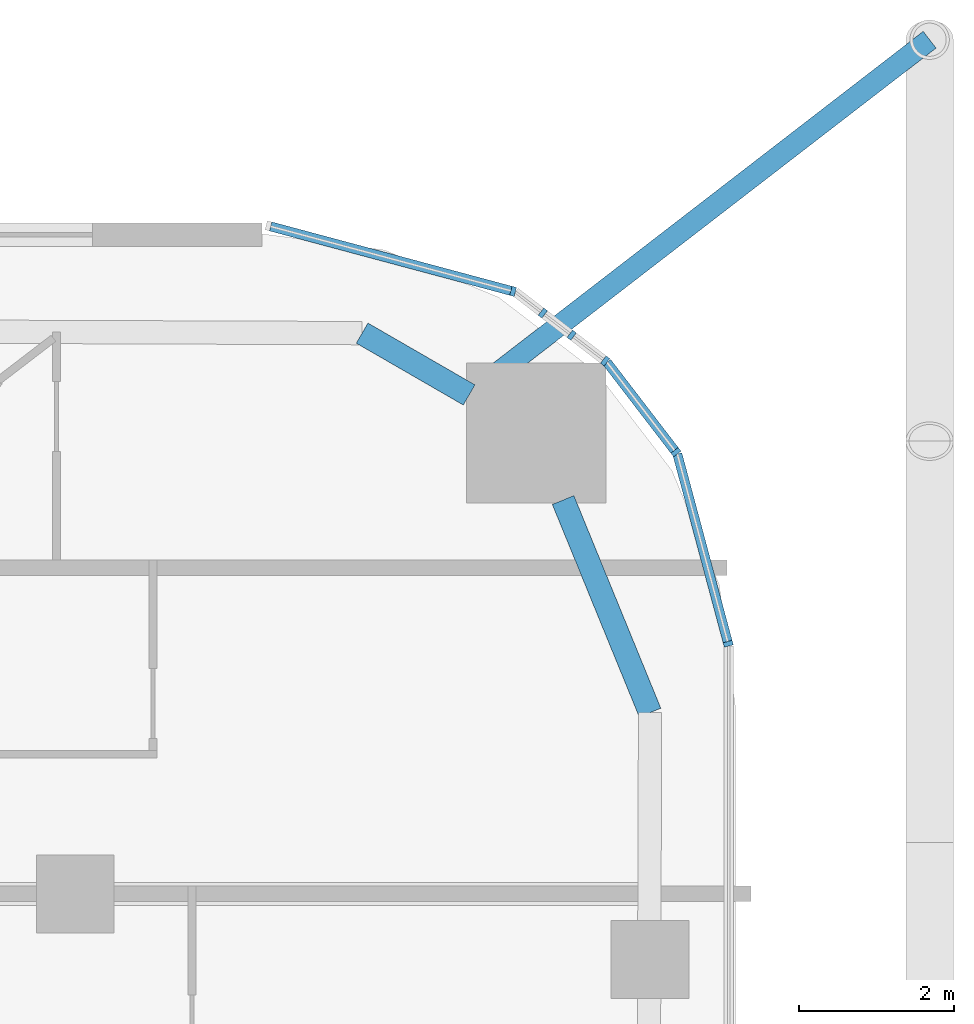
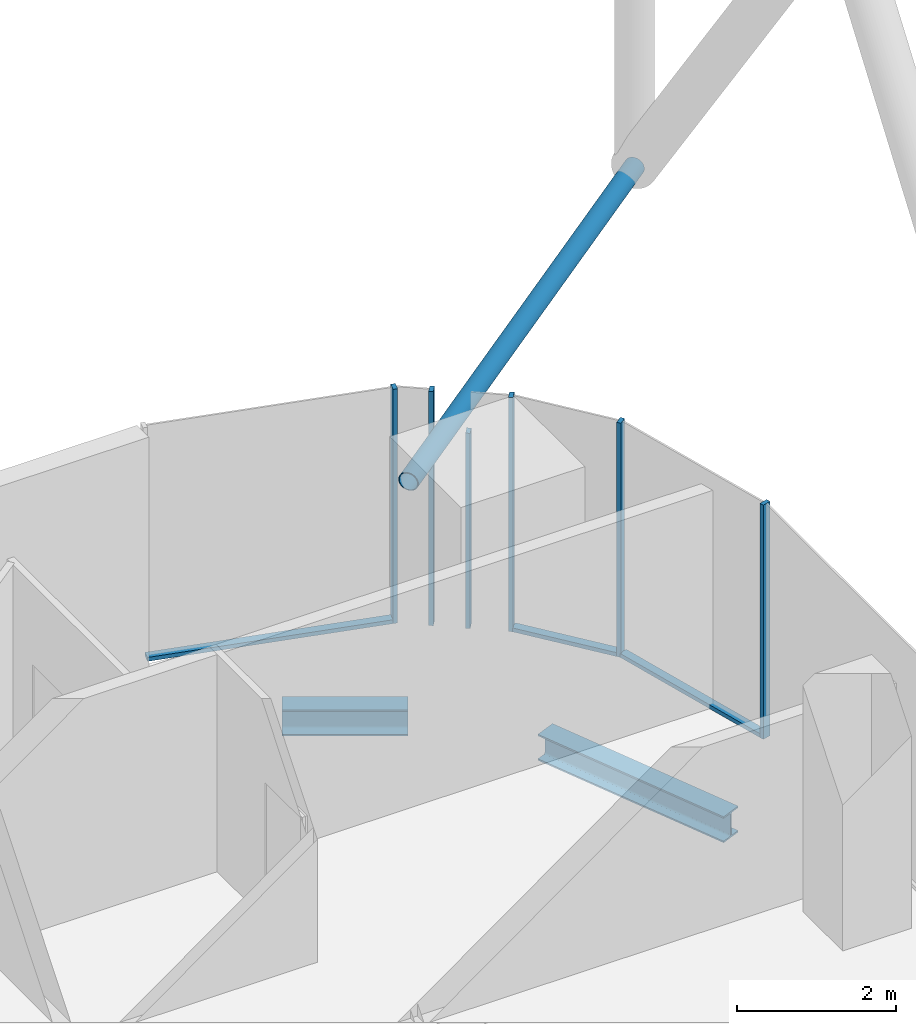
# One storey, part 14 of 34: 10 members, 2 beams, 6 elements without a shape of their own.
"""IFC4 building model written with IfcOpenShell, lengths in metres."""

from ifc_helpers import new_model, si_unit, direction, frame, origin, origin_2d, place, context, subcontext, project, spatial, rectangle, hollow_circle, i_section, extrude, material, layer, layer_set, material_profile, profile_set, type_object, element, aggregate, save


model = new_model("IFC4")

# Units and contexts
model_context = context("Model", 3, precision=1e-05, world=origin(), true_north=direction((0.0, 1.0)))
body_context = subcontext(model_context, "Body", "Model", "MODEL_VIEW")
ifc_project = project(units=[si_unit("LENGTHUNIT", "METRE"), si_unit("AREAUNIT", "SQUARE_METRE"), si_unit("VOLUMEUNIT", "CUBIC_METRE"), si_unit("PLANEANGLEUNIT", "RADIAN"), si_unit("MASSUNIT", "GRAM", prefix="KILO")], contexts=[model_context])

# Site, building, storey
site_placement = place(None, origin())
site = spatial("IfcSite", under=ifc_project, at=site_placement, CompositionType="ELEMENT")
building_placement = place(site_placement, origin())
building = spatial("IfcBuilding", under=site, at=building_placement, Name="Marenta Gate Hotel Tower", CompositionType="ELEMENT")
storey_placement = place(building_placement, frame((0.0, 0.0, 47.300048828125)))
storey = spatial("IfcBuildingStorey", under=building, at=storey_placement, Name="L09", CompositionType="ELEMENT", Elevation=47.300048828125)

# Beams
ifc_material_1 = material(Name="Steel S355", Category="steel")
ifc_material_profile_1 = material_profile(ifc_material_1, i_section(OverallWidth=0.300048828125, OverallDepth=0.39990234375, WebThickness=0.013427734375, FlangeThickness=0.02392578125, FilletRadius=0.027099609375, at=origin_2d()), Name="HEB 400")
ifc_profile_set_1 = profile_set([ifc_material_profile_1], Name="Steel S355")
beam_type = type_object("IfcBeamType", Name="Edge beam HEB 400", PredefinedType="SPANDREL", material=ifc_profile_set_1)
beam_1_placement = place(storey_placement, frame((24.69189453125, 32.42138671875, -0.4599609375), z_axis=(0.865968422476, -0.500098681536, 0.0), x_axis=(0.500098681536, 0.865968422476, 0.0)))
element("IfcBeam", 1, at=beam_1_placement, inside=storey, type_object=beam_type, Name="L09-EB-20", PredefinedType="SPANDREL", context=body_context, shape_type="SweptSolid", body=[
    extrude(i_section(OverallWidth=0.300048828125, OverallDepth=0.39990234375, WebThickness=0.013427734375, FlangeThickness=0.02392578125, FilletRadius=0.027099609375, at=origin_2d()), origin(), (0.0, 0.0, 1.0), 1.591552734375),
])
beam_2_placement = place(storey_placement, frame((27.280029296875, 30.2724609375, -0.4599609375), z_axis=(0.378565359962, -0.925574561144, 0.0), x_axis=(0.925574561144, 0.378565359962, 0.0)))
element("IfcBeam", 2, at=beam_2_placement, inside=storey, type_object=beam_type, Name="L09-EB-21", PredefinedType="SPANDREL", context=body_context, shape_type="SweptSolid", body=[
    extrude(i_section(OverallWidth=0.300048828125, OverallDepth=0.39990234375, WebThickness=0.013427734375, FlangeThickness=0.02392578125, FilletRadius=0.027099609375, at=origin_2d()), origin(), (0.0, 0.0, 1.0), 2.958251953125),
])

# Member
ifc_material_2 = material(Name="Steel S355J2W", Category="steel")
ifc_material_profile_2 = material_profile(ifc_material_2, hollow_circle(Radius=0.136474609375, WallThickness=0.012451171875, at=origin_2d()), Name="CHS 273x12.5")
ifc_profile_set_2 = profile_set([ifc_material_profile_2], Name="Steel S355J2W")
member_type_1 = type_object("IfcMemberType", Name="Floor tie CHS 273x12.5", PredefinedType="STRUT", material=ifc_profile_set_2)
member_1_placement = place(storey_placement, frame((32.0, 36.199951171875, 3.139892578125), z_axis=(-0.791777746729, -0.610809299032, 0.0), x_axis=(0.610809299032, -0.791777746729, 0.0)))
element("IfcMember", 3, at=member_1_placement, inside=storey, type_object=member_type_1, Name="L09-DR-7", PredefinedType="STRUT", context=body_context, shape_type="SweptSolid", body=[
    extrude(hollow_circle(Radius=0.136474609375, WallThickness=0.012451171875, at=origin_2d()), origin(), (0.0, 0.0, 1.0), 7.48193359375),
])

# Curtain wall, member
ifc_material_3 = material(Name="Tinted insulated glass in bronze anodised frame", Category="glass")
ifc_layer = layer(ifc_material_3, 0.1201171875)
ifc_layer_set = layer_set([ifc_layer], Name="Tinted insulated glass in bronze anodised frame")
curtain_wall_type = type_object("IfcCurtainWallType", Name="Tower unitised curtain wall CW1", PredefinedType="NOTDEFINED", material=ifc_layer_set)
curtain_wall_1_placement = place(storey_placement, origin())
curtain_wall_1 = element("IfcCurtainWall", 4, at=curtain_wall_1_placement, inside=storey, type_object=curtain_wall_type, Name="CW1 run G19", PredefinedType="NOTDEFINED")
ifc_material_4 = material(Name="Bronze anodised aluminium", Category="aluminium")
ifc_material_profile_3 = material_profile(ifc_material_4, rectangle(XDim=0.1201171875, YDim=0.06005859375, at=origin_2d()), Name="Mullion CW1 60x120 bronze anodised aluminium")
ifc_profile_set_3 = profile_set([ifc_material_profile_3], Name="Bronze anodised aluminium")
member_type_2 = type_object("IfcMemberType", Name="Mullion CW1 60x120 bronze anodised aluminium", PredefinedType="MULLION", material=ifc_profile_set_3)
member_2_placement = place(storey_placement, frame((29.40625, 28.4208984375, 0.0), z_axis=(0.0, 0.0, 1.0), x_axis=(-0.965925039579, -0.258821981125, 0.0)))
member_2 = element("IfcMember", 5, at=member_2_placement, type_object=member_type_2, Name="CW1 mullion 1", PredefinedType="MULLION", context=body_context, shape_type="SweptSolid", body=[
    extrude(rectangle(XDim=0.1201171875, YDim=0.06005859375, at=origin_2d()), origin(), (0.0, 0.0, 1.0), 3.599853515625),
])

curtain_wall_2_placement = place(storey_placement, origin())
curtain_wall_2 = element("IfcCurtainWall", 6, at=curtain_wall_2_placement, inside=storey, type_object=curtain_wall_type, Name="CW1 run G20", PredefinedType="NOTDEFINED")
member_3_placement = place(storey_placement, frame((28.733154296875, 30.888916015625, 0.0), z_axis=(0.0, 0.0, 1.0), x_axis=(-0.79333801153, -0.608781405318, 0.0)))
member_3 = element("IfcMember", 7, at=member_3_placement, type_object=member_type_2, Name="CW1 mullion 1", PredefinedType="MULLION", context=body_context, shape_type="SweptSolid", body=[
    extrude(rectangle(XDim=0.1201171875, YDim=0.06005859375, at=origin_2d()), origin(), (0.0, 0.0, 1.0), 3.599853515625),
])

curtain_wall_3_placement = place(storey_placement, origin())
curtain_wall_3 = element("IfcCurtainWall", 8, at=curtain_wall_3_placement, inside=storey, type_object=curtain_wall_type, Name="CW1 run G21", PredefinedType="NOTDEFINED")
member_4_placement = place(storey_placement, frame((27.82177734375, 32.063720703125, 0.0), z_axis=(0.0, 0.0, 1.0), x_axis=(-0.608794550401, -0.793327924254, 0.0)))
member_4 = element("IfcMember", 9, at=member_4_placement, type_object=member_type_2, Name="CW1 mullion 1", PredefinedType="MULLION", context=body_context, shape_type="SweptSolid", body=[
    extrude(rectangle(XDim=0.1201171875, YDim=0.06005859375, at=origin_2d()), origin(), (0.0, 0.0, 1.0), 3.599853515625),
])
aggregate(curtain_wall_3, [member_4])

curtain_wall_4_placement = place(storey_placement, origin())
curtain_wall_4 = element("IfcCurtainWall", 10, at=curtain_wall_4_placement, inside=storey, type_object=curtain_wall_type, Name="CW1 run G22", PredefinedType="NOTDEFINED")
member_5_placement = place(storey_placement, frame((27.390380859375, 32.394775390625, 0.0), z_axis=(0.0, 0.0, 1.0), x_axis=(-0.608771939349, -0.793345275313, 0.0)))
member_5 = element("IfcMember", 11, at=member_5_placement, type_object=member_type_2, Name="CW1 mullion 1", PredefinedType="MULLION", context=body_context, shape_type="SweptSolid", body=[
    extrude(rectangle(XDim=0.1201171875, YDim=0.06005859375, at=origin_2d()), origin(), (0.0, 0.0, 1.0), 3.00048828125),
])
aggregate(curtain_wall_4, [member_5])

curtain_wall_5_placement = place(storey_placement, origin())
curtain_wall_5 = element("IfcCurtainWall", 12, at=curtain_wall_5_placement, inside=storey, type_object=curtain_wall_type, Name="CW1 run G23", PredefinedType="NOTDEFINED")
member_6_placement = place(storey_placement, frame((27.018798828125, 32.679931640625, 0.0), z_axis=(0.0, 0.0, 1.0), x_axis=(-0.608775711402, -0.793342380821, 0.0)))
member_6 = element("IfcMember", 13, at=member_6_placement, type_object=member_type_2, Name="CW1 mullion 1", PredefinedType="MULLION", context=body_context, shape_type="SweptSolid", body=[
    extrude(rectangle(XDim=0.1201171875, YDim=0.06005859375, at=origin_2d()), origin(), (0.0, 0.0, 1.0), 3.599853515625),
])
aggregate(curtain_wall_5, [member_6])

curtain_wall_6_placement = place(storey_placement, origin())
curtain_wall_6 = element("IfcCurtainWall", 14, at=curtain_wall_6_placement, inside=storey, type_object=curtain_wall_type, Name="CW1 run G24", PredefinedType="NOTDEFINED")
member_7_placement = place(storey_placement, frame((26.63623046875, 32.958984375, 0.0), z_axis=(0.0, 0.0, 1.0), x_axis=(-0.258807310344, -0.965928970532, 0.0)))
member_7 = element("IfcMember", 15, at=member_7_placement, type_object=member_type_2, Name="CW1 mullion 1", PredefinedType="MULLION", context=body_context, shape_type="SweptSolid", body=[
    extrude(rectangle(XDim=0.1201171875, YDim=0.06005859375, at=origin_2d()), origin(), (0.0, 0.0, 1.0), 3.599853515625),
])

# Member
ifc_material_5 = material(Name="Bronze anodised aluminium", Category="aluminium")
ifc_material_profile_4 = material_profile(ifc_material_5, rectangle(XDim=0.1201171875, YDim=0.06005859375, at=origin_2d()), Name="Transom CW1 60x120 bronze anodised aluminium")
ifc_profile_set_4 = profile_set([ifc_material_profile_4], Name="Bronze anodised aluminium")
member_type_3 = type_object("IfcMemberType", Name="Transom CW1 60x120 bronze anodised aluminium", PredefinedType="USERDEFINED", material=ifc_profile_set_4)
member_8_placement = place(storey_placement, frame((29.3984375, 28.449951171875, 0.030029296875), z_axis=(-0.258859731326, 0.96591492353, 0.0), x_axis=(-0.96591492353, -0.258859731326, 0.0)))
member_8 = element("IfcMember", 16, at=member_8_placement, type_object=member_type_3, Name="CW1 transom 1.1", ObjectType="TRANSOM", PredefinedType="USERDEFINED", context=body_context, shape_type="SweptSolid", body=[
    extrude(rectangle(XDim=0.1201171875, YDim=0.06005859375, at=origin_2d()), origin(), (0.0, 0.0, 1.0), 2.500244140625),
])

aggregate(curtain_wall_1, [member_2, member_8])

member_9_placement = place(storey_placement, frame((28.71484375, 30.91259765625, 0.030029296875), z_axis=(-0.60882629199, 0.793303564963, 0.0), x_axis=(-0.793303564963, -0.60882629199, 0.0)))
member_9 = element("IfcMember", 17, at=member_9_placement, type_object=member_type_3, Name="CW1 transom 1.1", ObjectType="TRANSOM", PredefinedType="USERDEFINED", context=body_context, shape_type="SweptSolid", body=[
    extrude(rectangle(XDim=0.1201171875, YDim=0.06005859375, at=origin_2d()), origin(), (0.0, 0.0, 1.0), 1.427978515625),
])

aggregate(curtain_wall_2, [member_3, member_9])

member_10_placement = place(storey_placement, frame((26.607177734375, 32.966796875, 0.030029296875), z_axis=(-0.965933076693, 0.258791984709, 0.0), x_axis=(-0.258791984709, -0.965933076693, 0.0)))
member_10 = element("IfcMember", 18, at=member_10_placement, type_object=member_type_3, Name="CW1 transom 1.1", ObjectType="TRANSOM", PredefinedType="USERDEFINED", context=body_context, shape_type="SweptSolid", body=[
    extrude(rectangle(XDim=0.1201171875, YDim=0.06005859375, at=origin_2d()), origin(), (0.0, 0.0, 1.0), 3.201904296875),
])

aggregate(curtain_wall_6, [member_7, member_10])

save(model, "model.ifc")
